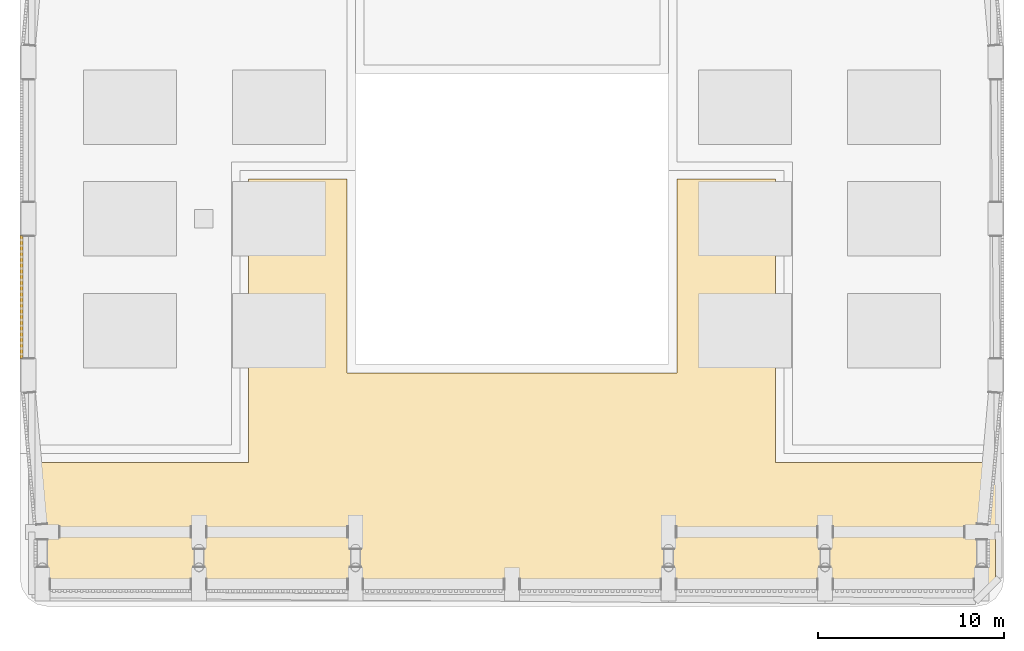
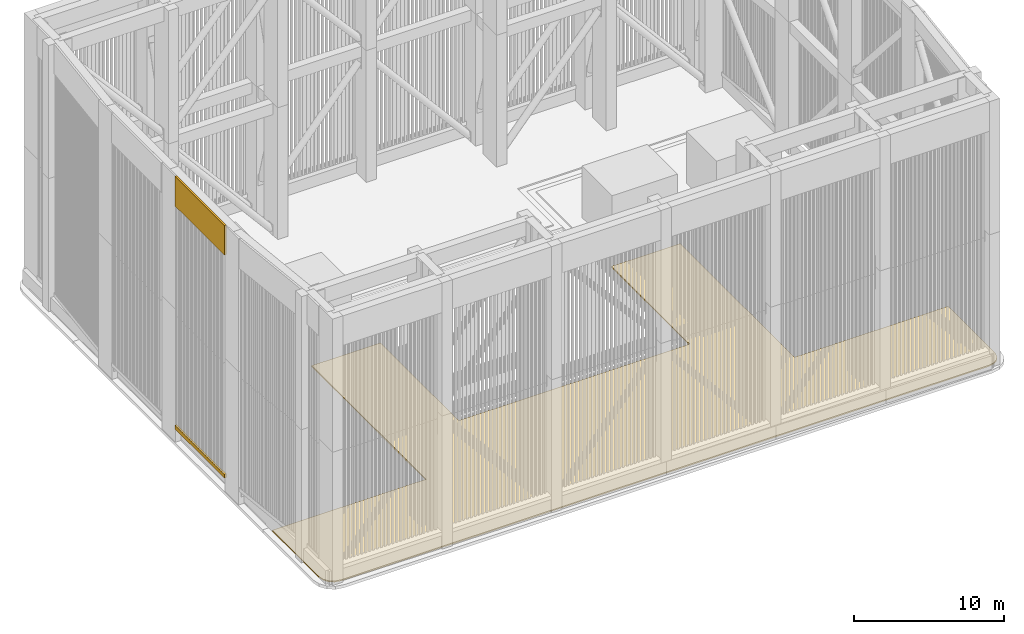
# One storey, part 13 of 27: 3 coverings.
"""IFC4 building model written with IfcOpenShell, lengths in metres."""

import ifcopenshell
import ifcopenshell.guid

model = None  # the IFC model being written
_history = None  # IfcOwnerHistory: only IFC2X3 demands one
_inside = {}  # id of a spatial element -> (the spatial element, [elements in it])
_under = {}  # id of a project, library or spatial element -> (it, [spatial elements below it])
_declared = {}  # id of a project -> (the project, [libraries it declares])
_typed = {}  # id of a type object -> (the type object, [elements of that type])
_made_of = {}  # id of a material, layer set ... -> (it, [elements and type objects made of it])


def new_model(schema):
    """Start an empty IFC model of exactly this schema.

    Asked for "IFC4X3", IfcOpenShell would pick the latest addendum, in which some entities
    have other attributes; the version numbers below select the first issue.
    IFC2X3 requires an IfcOwnerHistory on every rooted entity: one is made here for all.
    """
    global model, _history
    if schema == "IFC4X3":
        model = ifcopenshell.file(schema_version=(4, 3, 0, 0))
    else:
        model = ifcopenshell.file(schema=schema)
    _inside.clear()
    _under.clear()
    _declared.clear()
    _typed.clear()
    _made_of.clear()
    _history = None
    if model.schema == "IFC2X3":
        org = make("IfcOrganization", Name="unknown")
        user = make(
            "IfcPersonAndOrganization",
            ThePerson=make("IfcPerson", FamilyName="unknown"),
            TheOrganization=org,
        )
        app = make(
            "IfcApplication",
            ApplicationDeveloper=org,
            Version="unknown",
            ApplicationFullName="unknown",
            ApplicationIdentifier="unknown",
        )
        _history = make(
            "IfcOwnerHistory",
            OwningUser=user,
            OwningApplication=app,
            ChangeAction="ADDED",
            CreationDate=0,
        )
    return model


def make(cls, **values):
    """One entity of the class cls with the attributes given. An attribute that is None is left unset."""
    return model.create_entity(
        cls, **{name: value for name, value in values.items() if value is not None}
    )


def rooted(cls, **values):
    """An entity with a GlobalId (a new one), such as an element, a storey or a relation."""
    return make(cls, GlobalId=ifcopenshell.guid.new(), OwnerHistory=_history, **values)


def si_unit(unit_type, name, prefix=None):
    """IfcSIUnit, for example si_unit("LENGTHUNIT", "METRE", prefix="MILLI")."""
    return make("IfcSIUnit", UnitType=unit_type, Prefix=prefix, Name=name)


def assignment(units):
    """IfcUnitAssignment: the units of a project."""
    return None if units is None else make("IfcUnitAssignment", Units=units)


def point(xyz):
    """IfcCartesianPoint."""
    return None if xyz is None else make("IfcCartesianPoint", Coordinates=xyz)


def direction(xyz):
    """IfcDirection."""
    return None if xyz is None else make("IfcDirection", DirectionRatios=xyz)


def frame(location, z_axis=None, x_axis=None):
    """IfcAxis2Placement3D, a coordinate frame: its origin and axes. An axis left out is left unset."""
    return make(
        "IfcAxis2Placement3D",
        Location=point(location),
        Axis=direction(z_axis),
        RefDirection=direction(x_axis),
    )


def frame_2d(location, x_axis=None):
    """IfcAxis2Placement2D, a coordinate frame in the plane: its origin and x axis."""
    return make(
        "IfcAxis2Placement2D", Location=point(location), RefDirection=direction(x_axis)
    )


def origin():
    """The frame at (0, 0, 0) with its axes left unset."""
    return frame((0.0, 0.0, 0.0))


def origin_2d():
    """The frame at (0, 0) in the plane with its x axis left unset."""
    return frame_2d((0.0, 0.0))


def place(relative_to, where):
    """IfcLocalPlacement: puts the frame where relative to a parent placement (None: the world)."""
    return make(
        "IfcLocalPlacement", PlacementRelTo=relative_to, RelativePlacement=where
    )


def context(
    kind, dimensions, precision=None, world=None, true_north=None, identifier=None
):
    """IfcGeometricRepresentationContext, for example the 3D "Model" context."""
    return make(
        "IfcGeometricRepresentationContext",
        ContextIdentifier=identifier,
        ContextType=kind,
        CoordinateSpaceDimension=dimensions,
        Precision=precision,
        WorldCoordinateSystem=world,
        TrueNorth=true_north,
    )


def subcontext(parent, identifier, kind, view, scale=None):
    """IfcGeometricRepresentationSubContext, for example "Body" below "Model"."""
    return make(
        "IfcGeometricRepresentationSubContext",
        ContextIdentifier=identifier,
        ContextType=kind,
        ParentContext=parent,
        TargetScale=scale,
        TargetView=view,
    )


def project(units=None, contexts=None):
    """IfcProject with its units and contexts."""
    return rooted(
        "IfcProject",
        Name="project",
        RepresentationContexts=contexts,
        UnitsInContext=assignment(units),
    )


def spatial(cls, under=None, at=None, **own):
    """A site, building, storey or space (cls), placed at a placement, below another one or the project."""
    s = rooted(cls, ObjectPlacement=at, **own)
    if under is not None:
        _under.setdefault(under.id(), (under, []))[1].append(s)
    return s


def polyline(points):
    """IfcPolyline through the points."""
    return make("IfcPolyline", Points=[point(p) for p in points])


def profile(cls, at=None, kind="AREA", **sizes):
    """A parametric profile (cls). Its sizes go by their IFC names, for example OverallWidth=200.0."""
    return make(cls, ProfileType=kind, Position=at, **sizes)


def rectangle(**sizes):
    """IfcRectangleProfileDef."""
    return profile("IfcRectangleProfileDef", **sizes)


def outline(outer, holes=None, kind="AREA"):
    """IfcArbitraryClosedProfileDef: a profile drawn as a closed curve; with holes, ...WithVoids."""
    if holes is None:
        return make("IfcArbitraryClosedProfileDef", ProfileType=kind, OuterCurve=outer)
    return make(
        "IfcArbitraryProfileDefWithVoids",
        ProfileType=kind,
        OuterCurve=outer,
        InnerCurves=holes,
    )


def extrude(swept, where, along, depth):
    """IfcExtrudedAreaSolid: the profile swept, set in the frame where, extruded along a direction by depth."""
    return make(
        "IfcExtrudedAreaSolid",
        SweptArea=swept,
        Position=where,
        ExtrudedDirection=direction(along),
        Depth=depth,
    )


def shape(context_of_items, identifier, shape_type, items):
    """IfcShapeRepresentation: the items that make up one representation, for example the "Body"."""
    return make(
        "IfcShapeRepresentation",
        ContextOfItems=context_of_items,
        RepresentationIdentifier=identifier,
        RepresentationType=shape_type,
        Items=items,
    )


def material(Name=None, Category=None):
    """IfcMaterial."""
    return make("IfcMaterial", Name=Name, Category=Category)


def layer(
    of_material, thickness, ventilated=None, Name=None, Category=None, Priority=None
):
    """IfcMaterialLayer: one layer of a wall or slab, of a material (None: an air gap)."""
    return make(
        "IfcMaterialLayer",
        Material=of_material,
        LayerThickness=thickness,
        IsVentilated=ventilated,
        Name=Name,
        Category=Category,
        Priority=Priority,
    )


def layer_set(layers, Name=None):
    """IfcMaterialLayerSet."""
    return make("IfcMaterialLayerSet", MaterialLayers=layers, LayerSetName=Name)


def made_of(thing, what):
    """Note that an element or type object is made of a material, layer set ...; save() writes the relation."""
    if what is not None:
        _made_of.setdefault(what.id(), (what, []))[1].append(thing)
    return thing


def type_object(cls, material=None, **own):
    """A type object (cls), such as IfcWallType, which elements share."""
    return made_of(rooted(cls, **own), material)


def element(
    cls,
    number,
    at=None,
    inside=None,
    cuts=None,
    type_object=None,
    material=None,
    context=None,
    identifier="Body",
    shape_type=None,
    held_by="IfcProductDefinitionShape",
    body=None,
    shapes=None,
    **own,
):
    """One element of the class cls, such as IfcWall. Its Tag is "e" and its number.

    at: its placement. inside: the storey or other place that contains it. cuts: it is an
    opening in that element (IfcRelVoidsElement). A single representation is given by context,
    identifier, shape_type and body (its items); several are given by shapes. held_by: the class
    of the entity that holds the representations. save() writes the other relations.
    """
    e = rooted(cls, Tag="e%d" % number, ObjectPlacement=at, **own)
    if body is not None:
        shapes = [shape(context, identifier, shape_type, body)]
    if shapes is not None:
        e.Representation = make(held_by, Representations=shapes)
    if inside is not None:
        _inside.setdefault(inside.id(), (inside, []))[1].append(e)
    if cuts is not None:
        rooted(
            "IfcRelVoidsElement", RelatingBuildingElement=cuts, RelatedOpeningElement=e
        )
    if type_object is not None:
        _typed.setdefault(type_object.id(), (type_object, []))[1].append(e)
    return made_of(e, material)


def aggregate(whole, parts):
    """IfcRelAggregates: a whole, such as a stair, and the parts it consists of."""
    return rooted("IfcRelAggregates", RelatingObject=whole, RelatedObjects=parts)


def save(model, path):
    """Write the relations noted so far, then the file.

    IfcRelAggregates (storeys below a building ...), IfcRelContainedInSpatialStructure (elements
    in a storey), IfcRelDefinesByType, IfcRelAssociatesMaterial and IfcRelDeclares: one each for
    every whole, place, type object, material and project.
    """
    for whole, parts in _under.values():
        aggregate(whole, parts)
    for where, things in _inside.values():
        rooted(
            "IfcRelContainedInSpatialStructure",
            RelatedElements=things,
            RelatingStructure=where,
        )
    for kind, things in _typed.values():
        rooted("IfcRelDefinesByType", RelatedObjects=things, RelatingType=kind)
    for what, things in _made_of.values():
        rooted("IfcRelAssociatesMaterial", RelatedObjects=things, RelatingMaterial=what)
    for by, libraries in _declared.values():
        rooted("IfcRelDeclares", RelatingContext=by, RelatedDefinitions=libraries)
    model.write(path)


model = new_model("IFC4")

# Units and contexts
model_context = context("Model", 3, precision=1e-05, world=origin(), true_north=direction((0.0, 1.0)))
body_context = subcontext(model_context, "Body", "Model", "MODEL_VIEW")
ifc_project = project(units=[si_unit("LENGTHUNIT", "METRE"), si_unit("AREAUNIT", "SQUARE_METRE"), si_unit("VOLUMEUNIT", "CUBIC_METRE"), si_unit("PLANEANGLEUNIT", "RADIAN"), si_unit("MASSUNIT", "GRAM", prefix="KILO")], contexts=[model_context])

# Site, building, storey
site_placement = place(None, origin())
site = spatial("IfcSite", under=ifc_project, at=site_placement, CompositionType="ELEMENT")
building_placement = place(site_placement, origin())
building = spatial("IfcBuilding", under=site, at=building_placement, Name="Claustro Exchange Tower", CompositionType="ELEMENT")
storey_placement = place(building_placement, frame((0.0, 0.0, 287.10009765625)))
storey = spatial("IfcBuildingStorey", under=building, at=storey_placement, Name="ROOF", CompositionType="ELEMENT", Elevation=287.10009765625)

# Coverings
ifc_material_1 = material(Name="Concrete HA-40 (C40/50), precast, white cement, acid-etched", Category="concrete")
ifc_layer_1 = layer(ifc_material_1, 0.14990234375)
ifc_layer_set_1 = layer_set([ifc_layer_1], Name="Concrete HA-40 (C40/50), precast, white cement, acid-etched")
covering_type_1 = type_object("IfcCoveringType", Name="CC1 150 precast concrete crown moulding", PredefinedType="MOLDING", material=ifc_layer_set_1)
covering_1_placement = place(storey_placement, frame((-1.12548828125, 21.0, 1.10009765625), z_axis=(0.0, 0.0, 1.0), x_axis=(0.0, 1.0, 0.0)))
element("IfcCovering", 1, at=covering_1_placement, inside=storey, type_object=covering_type_1, Name="CROWN SILL CC1 1+-750/C - 1+-750/D", PredefinedType="MOLDING", context=body_context, shape_type="SweptSolid", body=[
    extrude(rectangle(XDim=6.59912109375, YDim=0.14990234375, at=origin_2d()), origin(), (0.0, 0.0, 1.0), 0.300048828125),
])
covering_2_placement = place(storey_placement, frame((-1.12548828125, 21.0, 19.199951171875), z_axis=(0.0, 0.0, 1.0), x_axis=(0.0, 1.0, 0.0)))
element("IfcCovering", 2, at=covering_2_placement, inside=storey, type_object=covering_type_1, Name="CROWN CORNICE CC1 1+-750/C - 1+-750/D", PredefinedType="MOLDING", context=body_context, shape_type="SweptSolid", body=[
    extrude(rectangle(XDim=6.59912109375, YDim=0.14990234375, at=origin_2d()), origin(), (0.0, 0.0, 1.0), 2.39990234375),
])
ifc_material_2 = material(Name="Bituminous membrane, insulation, gravel ballast", Category="bitumen")
ifc_layer_2 = layer(ifc_material_2, 0.10009765625)
ifc_layer_set_2 = layer_set([ifc_layer_2], Name="Bituminous membrane, insulation, gravel ballast")
covering_type_2 = type_object("IfcCoveringType", Name="RM1 100 inverted roof membrane and ballast", PredefinedType="ROOFING", material=ifc_layer_set_2)
covering_3_placement = place(storey_placement, origin())
element("IfcCovering", 3, at=covering_3_placement, inside=storey, type_object=covering_type_2, Name="Roof finish RM1 over L64", PredefinedType="ROOFING", context=body_context, shape_type="SweptSolid", body=[
    extrude(outline(polyline([(-0.094482421875, 4.947509765625), (0.34521484375, 4.860107421875), (50.0546875, 4.860107421875), (50.494384765625, 4.947509765625), (50.8291015625, 5.1708984375), (51.052490234375, 5.505615234375), (51.139892578125, 5.9453125), (51.139892578125, 12.139892578125), (39.340087890625, 12.139892578125), (39.340087890625, 27.340087890625), (34.06005859375, 27.340087890625), (34.06005859375, 16.93994140625), (16.340087890625, 16.93994140625), (16.340087890625, 27.340087890625), (11.06005859375, 27.340087890625), (11.06005859375, 12.139892578125), (-0.739990234375, 12.139892578125), (-0.739990234375, 5.9453125), (-0.652587890625, 5.505615234375), (-0.428955078125, 5.1708984375), (-0.094482421875, 4.947509765625)])), origin(), (0.0, 0.0, 1.0), 0.099853515625),
])

save(model, "model.ifc")
